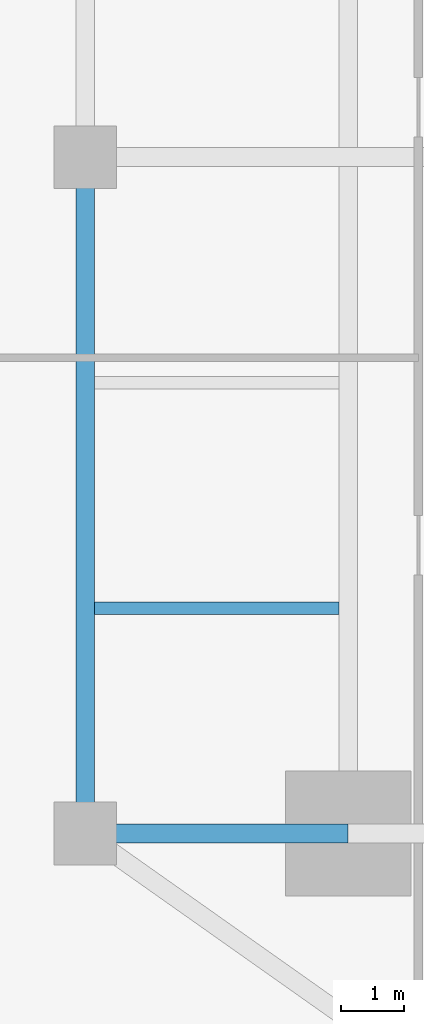
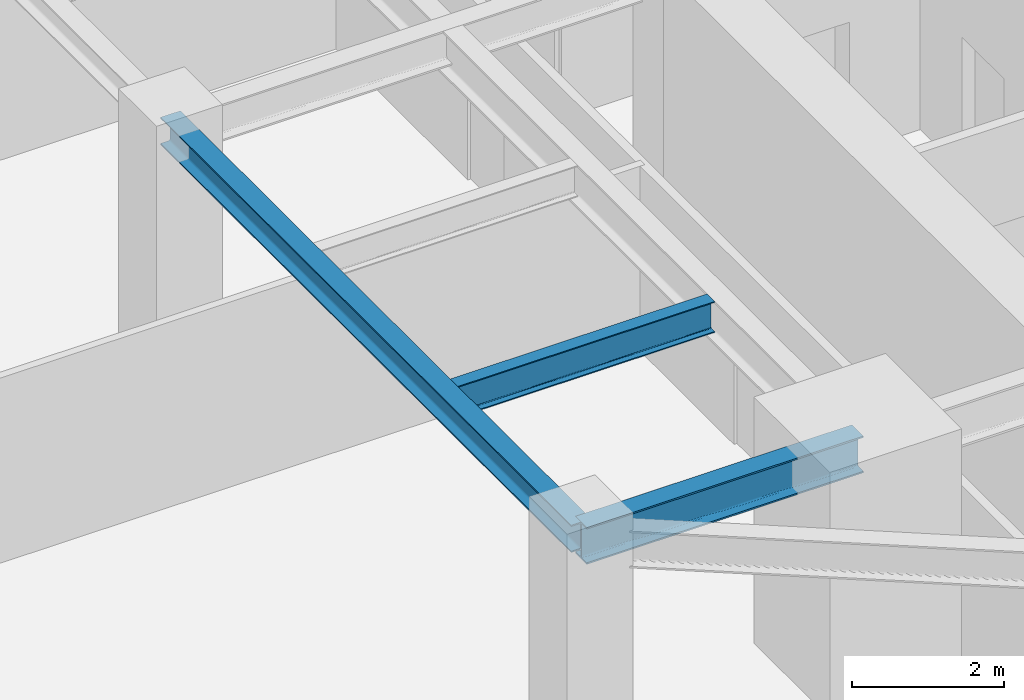
# One storey, part 6 of 26: 3 beams.
"""IFC4 building model written with IfcOpenShell, lengths in metres."""

from ifc_helpers import new_model, si_unit, direction, frame, origin, origin_2d, place, context, subcontext, project, spatial, i_section, extrude, source, transform, mapped, material, material_profile, profile_set, type_object, type_shapes, element, save


model = new_model("IFC4")

# Units and contexts
model_context = context("Model", 3, precision=1e-05, world=origin(), true_north=direction((0.0, 1.0)))
body_context = subcontext(model_context, "Body", "Model", "MODEL_VIEW")
ifc_project = project(units=[si_unit("LENGTHUNIT", "METRE"), si_unit("AREAUNIT", "SQUARE_METRE"), si_unit("VOLUMEUNIT", "CUBIC_METRE"), si_unit("PLANEANGLEUNIT", "RADIAN"), si_unit("MASSUNIT", "GRAM", prefix="KILO")], contexts=[model_context])

# Site, building, storey
site_placement = place(None, origin())
site = spatial("IfcSite", under=ifc_project, at=site_placement, CompositionType="ELEMENT")
building_placement = place(site_placement, origin())
building = spatial("IfcBuilding", under=site, at=building_placement, Name="Krantzveldt Concourse Tower", CompositionType="ELEMENT")
storey_placement = place(building_placement, frame((0.0, 0.0, 129.550048828125)))
storey = spatial("IfcBuildingStorey", under=building, at=storey_placement, Name="L31", CompositionType="ELEMENT", Elevation=129.550048828125)

# Beams
ifc_material = material(Name="Steel S355JR", Category="steel")
ifc_material_profile_1 = material_profile(ifc_material, i_section(OverallWidth=0.300048828125, OverallDepth=0.43994140625, WebThickness=0.011474609375, FlangeThickness=0.02099609375, FilletRadius=0.027099609375, at=origin_2d()), Name="Steel S355JR", Category="steel")
ifc_profile_set_1 = profile_set([ifc_material_profile_1], Name="Steel S355JR - HEA 450")
beam_type_1 = type_object("IfcBeamType", Name="BM-SP-HEA450", PredefinedType="SPANDREL", material=ifc_profile_set_1)
shared_shape_1 = source(origin(), body_context, "Body", "SweptSolid", [
    extrude(i_section(OverallWidth=0.300048828125, OverallDepth=0.43994140625, WebThickness=0.011474609375, FlangeThickness=0.02099609375, FilletRadius=0.027099609375, at=origin_2d()), origin(), (0.0, 0.0, 1.0), 10.800048828125),
])
type_shapes(beam_type_1, [shared_shape_1])
beam_1_placement = place(storey_placement, frame((21.0, 15.89990234375, 3.449951171875), z_axis=(0.0, 1.0, 0.0), x_axis=(-1.0, 0.0, 0.0)))
element("IfcBeam", 1, at=beam_1_placement, inside=storey, type_object=beam_type_1, Name="L31 Tower Girder SP-R01", PredefinedType="SPANDREL", context=body_context, shape_type="MappedRepresentation", body=[
    mapped(shared_shape_1, transform((0.0, 0.0, 0.0), x_axis=(1.0, 0.0, 0.0), y_axis=(0.0, 1.0, 0.0), z_axis=(0.0, 0.0, 1.0), scale=1.0)),
])
ifc_material_profile_2 = material_profile(ifc_material, i_section(OverallWidth=0.300048828125, OverallDepth=0.590087890625, WebThickness=0.012939453125, FlangeThickness=0.02490234375, FilletRadius=0.027099609375, at=origin_2d()), Name="Steel S355JR", Category="steel")
ifc_profile_set_2 = profile_set([ifc_material_profile_2], Name="Steel S355JR - HEA 600")
beam_type_2 = type_object("IfcBeamType", Name="BM-B-HEA600", PredefinedType="BEAM", material=ifc_profile_set_2)
shared_shape_2 = source(origin(), body_context, "Body", "SweptSolid", [
    extrude(i_section(OverallWidth=0.300048828125, OverallDepth=0.590087890625, WebThickness=0.012939453125, FlangeThickness=0.02490234375, FilletRadius=0.027099609375, at=origin_2d()), origin(), (0.0, 0.0, 1.0), 4.199951171875),
])
type_shapes(beam_type_2, [shared_shape_2])
beam_2_placement = place(storey_placement, frame((21.0, 15.89990234375, 3.375), z_axis=(1.0, 0.0, 0.0), x_axis=(0.0, 1.0, 0.0)))
element("IfcBeam", 2, at=beam_2_placement, inside=storey, type_object=beam_type_2, Name="L31 Tower Girder BR-RL1", PredefinedType="BEAM", context=body_context, shape_type="MappedRepresentation", body=[
    mapped(shared_shape_2, transform((0.0, 0.0, 0.0), x_axis=(1.0, 0.0, 0.0), y_axis=(0.0, 1.0, 0.0), z_axis=(0.0, 0.0, 1.0), scale=1.0)),
])
ifc_material_profile_3 = material_profile(ifc_material, i_section(OverallWidth=0.199951171875, OverallDepth=0.5, WebThickness=0.01025390625, FlangeThickness=0.01611328125, FilletRadius=0.02099609375, at=origin_2d()), Name="Steel S355JR", Category="steel")
ifc_profile_set_3 = profile_set([ifc_material_profile_3], Name="Steel S355JR - IPE 500")
beam_type_3 = type_object("IfcBeamType", Name="BM-J-IPE500", PredefinedType="JOIST", material=ifc_profile_set_3)
shared_shape_3 = source(origin(), body_context, "Body", "SweptSolid", [
    extrude(i_section(OverallWidth=0.199951171875, OverallDepth=0.5, WebThickness=0.01025390625, FlangeThickness=0.01611328125, FilletRadius=0.02099609375, at=origin_2d()), origin(), (0.0, 0.0, 1.0), 3.900146484375),
])
type_shapes(beam_type_3, [shared_shape_3])
beam_3_placement = place(storey_placement, frame((21.14990234375, 19.5, 3.419921875), z_axis=(1.0, 0.0, 0.0), x_axis=(0.0, 1.0, 0.0)))
element("IfcBeam", 3, at=beam_3_placement, inside=storey, type_object=beam_type_3, Name="L31 Secondary Floor Joist JW-1", PredefinedType="JOIST", context=body_context, shape_type="MappedRepresentation", body=[
    mapped(shared_shape_3, transform((0.0, 0.0, 0.0), x_axis=(1.0, 0.0, 0.0), y_axis=(0.0, 1.0, 0.0), z_axis=(0.0, 0.0, 1.0), scale=1.0)),
])

save(model, "model.ifc")
